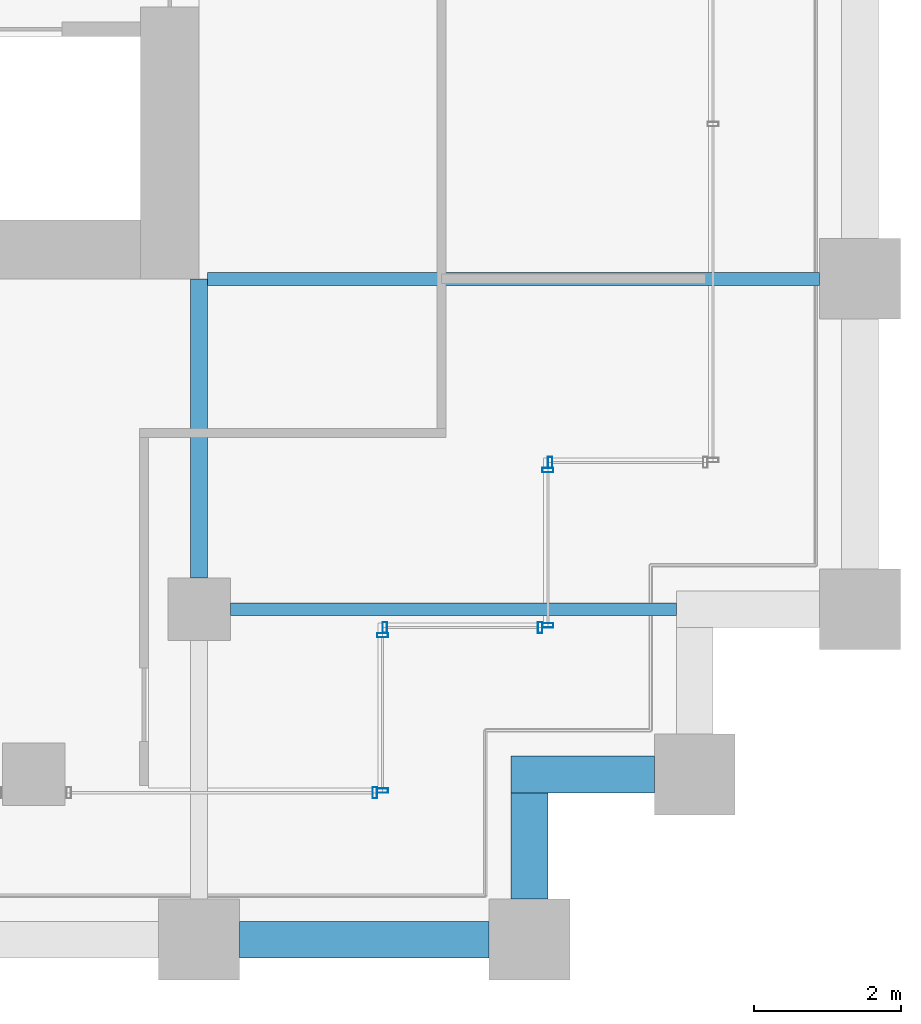
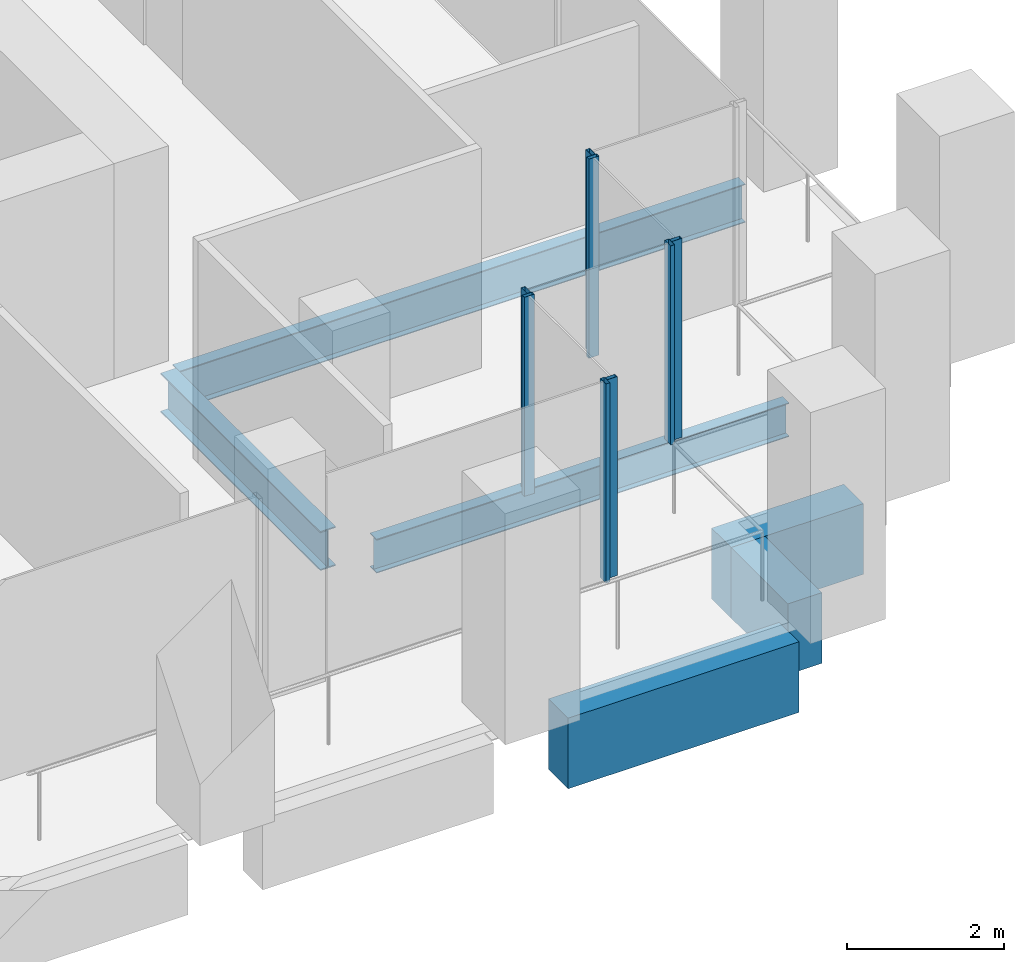
# One storey, part 38 of 56: 8 members, 6 beams, 5 elements without a shape of their own.
"""IFC4 building model written with IfcOpenShell, lengths in metres."""

from ifc_helpers import new_model, si_unit, direction, frame, origin, origin_2d, place, context, subcontext, project, spatial, rectangle, hollow_rectangle, i_section, extrude, material, material_profile, profile_set, type_object, element, aggregate, save


model = new_model("IFC4")

# Units and contexts
model_context = context("Model", 3, precision=1e-05, world=origin(), true_north=direction((0.0, 1.0)))
body_context = subcontext(model_context, "Body", "Model", "MODEL_VIEW")
ifc_project = project(units=[si_unit("LENGTHUNIT", "METRE"), si_unit("AREAUNIT", "SQUARE_METRE"), si_unit("VOLUMEUNIT", "CUBIC_METRE"), si_unit("PLANEANGLEUNIT", "RADIAN"), si_unit("MASSUNIT", "GRAM", prefix="KILO")], contexts=[model_context])

# Site, building, storey
site_placement = place(None, origin())
site = spatial("IfcSite", under=ifc_project, at=site_placement, CompositionType="ELEMENT")
building_placement = place(site_placement, origin())
building = spatial("IfcBuilding", under=site, at=building_placement, Name="Altepetl Exchange Towers", CompositionType="ELEMENT")
storey_placement = place(building_placement, frame((0.0, 0.0, 51.0)))
storey = spatial("IfcBuildingStorey", under=building, at=storey_placement, Name="L11", CompositionType="ELEMENT", Elevation=51.0)

# Beams
ifc_material_1 = material(Name="Steel S355", Category="steel")
ifc_material_profile_1 = material_profile(ifc_material_1, i_section(OverallWidth=0.166015625, OverallDepth=0.529052734375, WebThickness=0.009765625, FlangeThickness=0.013671875, at=origin_2d()), Name="W21X50")
ifc_profile_set_1 = profile_set([ifc_material_profile_1], Name="Steel S355")
beam_type_1 = type_object("IfcBeamType", Name="Floor beam W21X50", PredefinedType="BEAM", material=ifc_profile_set_1)
beam_1_placement = place(storey_placement, frame((117.425048828125, 31.5, -0.41455078125), z_axis=(1.0, 0.0, 0.0), x_axis=(0.0, 1.0, 0.0)))
element("IfcBeam", 1, at=beam_1_placement, inside=storey, type_object=beam_type_1, Name="bm:B:L11:004", PredefinedType="BEAM", context=body_context, shape_type="SweptSolid", body=[
    extrude(i_section(OverallWidth=0.166015625, OverallDepth=0.529052734375, WebThickness=0.009765625, FlangeThickness=0.013671875, at=origin_2d()), origin(), (0.0, 0.0, 1.0), 6.074951171875),
])
ifc_material_profile_2 = material_profile(ifc_material_1, i_section(OverallWidth=0.177978515625, OverallDepth=0.59912109375, WebThickness=0.010009765625, FlangeThickness=0.0126953125, at=origin_2d()), Name="W24X55")
ifc_profile_set_2 = profile_set([ifc_material_profile_2], Name="Steel S355")
beam_type_2 = type_object("IfcBeamType", Name="Floor beam W24X55", PredefinedType="BEAM", material=ifc_profile_set_2)
beam_2_placement = place(storey_placement, frame((117.114013671875, 36.0, -0.449462890625), z_axis=(1.0, 0.0, 0.0), x_axis=(0.0, 1.0, 0.0)))
element("IfcBeam", 2, at=beam_2_placement, inside=storey, type_object=beam_type_2, Name="bm:B:L11:005", PredefinedType="BEAM", context=body_context, shape_type="SweptSolid", body=[
    extrude(i_section(OverallWidth=0.177978515625, OverallDepth=0.59912109375, WebThickness=0.010009765625, FlangeThickness=0.0126953125, at=origin_2d()), origin(), (0.0, 0.0, 1.0), 8.3359375),
])
ifc_material_profile_3 = material_profile(ifc_material_1, i_section(OverallWidth=0.22802734375, OverallDepth=0.60791015625, WebThickness=0.01123046875, FlangeThickness=0.017333984375, at=origin_2d()), Name="W24X76")
ifc_profile_set_3 = profile_set([ifc_material_profile_3], Name="Steel S355")
beam_type_3 = type_object("IfcBeamType", Name="Girder W24X76", PredefinedType="BEAM", material=ifc_profile_set_3)
beam_3_placement = place(storey_placement, frame((117.0, 36.0, -0.4541015625), z_axis=(0.0, -1.0, 0.0), x_axis=(1.0, 0.0, 0.0)))
element("IfcBeam", 3, at=beam_3_placement, inside=storey, type_object=beam_type_3, Name="gd:B:L11:004", PredefinedType="BEAM", context=body_context, shape_type="SweptSolid", body=[
    extrude(i_section(OverallWidth=0.22802734375, OverallDepth=0.60791015625, WebThickness=0.01123046875, FlangeThickness=0.017333984375, at=origin_2d()), origin(), (0.0, 0.0, 1.0), 4.074951171875),
])

# Curtain wall, member
ifc_material_2 = material(Name="Aluminium 6063-T6 glazing", Category="aluminium")
curtain_wall_type = type_object("IfcCurtainWallType", Name="Loggia glazing system", PredefinedType="NOTDEFINED", material=ifc_material_2)
curtain_wall_1_placement = place(storey_placement, origin())
curtain_wall_1 = element("IfcCurtainWall", 4, at=curtain_wall_1_placement, inside=storey, type_object=curtain_wall_type, Name="CW1 run", PredefinedType="NOTDEFINED")
ifc_material_3 = material(Name="Aluminium 6063-T6", Category="aluminium")
ifc_material_profile_4 = material_profile(ifc_material_3, hollow_rectangle(XDim=0.06005859375, YDim=0.14990234375, WallThickness=0.0029296875, at=origin_2d()), Name="Mullion 60x150 aluminium")
ifc_profile_set_4 = profile_set([ifc_material_profile_4], Name="Aluminium 6063-T6")
member_type = type_object("IfcMemberType", Name="Mullion 60x150 aluminium", PredefinedType="MULLION", material=ifc_profile_set_4)
member_1_placement = place(storey_placement, frame((119.39501953125, 29.0, 0.0)))
member_1 = element("IfcMember", 5, at=member_1_placement, type_object=member_type, Name="MU1 mullion", PredefinedType="MULLION", context=body_context, shape_type="SweptSolid", body=[
    extrude(hollow_rectangle(XDim=0.06005859375, YDim=0.14990234375, WallThickness=0.0029296875, at=origin_2d()), origin(), (0.0, 0.0, 1.0), 3.10009765625),
])
aggregate(curtain_wall_1, [member_1])

# Curtain wall, members
curtain_wall_2_placement = place(storey_placement, origin())
curtain_wall_2 = element("IfcCurtainWall", 6, at=curtain_wall_2_placement, inside=storey, type_object=curtain_wall_type, Name="CW1 run", PredefinedType="NOTDEFINED")
member_2_placement = place(storey_placement, frame((119.5, 29.030029296875, 0.0), z_axis=(0.0, 0.0, 1.0), x_axis=(0.0, 1.0, 0.0)))
member_2 = element("IfcMember", 7, at=member_2_placement, type_object=member_type, Name="MU1 mullion", PredefinedType="MULLION", context=body_context, shape_type="SweptSolid", body=[
    extrude(hollow_rectangle(XDim=0.06005859375, YDim=0.14990234375, WallThickness=0.0029296875, at=origin_2d()), origin(), (0.0, 0.0, 1.0), 3.10009765625),
])
member_3_placement = place(storey_placement, frame((119.5, 31.14501953125, 0.0), z_axis=(0.0, 0.0, 1.0), x_axis=(0.0, 1.0, 0.0)))
member_3 = element("IfcMember", 8, at=member_3_placement, type_object=member_type, Name="MU1 mullion", PredefinedType="MULLION", context=body_context, shape_type="SweptSolid", body=[
    extrude(hollow_rectangle(XDim=0.06005859375, YDim=0.14990234375, WallThickness=0.0029296875, at=origin_2d()), origin(), (0.0, 0.0, 1.0), 3.10009765625),
])
aggregate(curtain_wall_2, [member_2, member_3])

curtain_wall_3_placement = place(storey_placement, origin())
curtain_wall_3 = element("IfcCurtainWall", 9, at=curtain_wall_3_placement, inside=storey, type_object=curtain_wall_type, Name="CW1 run", PredefinedType="NOTDEFINED")
member_4_placement = place(storey_placement, frame((119.530029296875, 31.25, 0.0)))
member_4 = element("IfcMember", 10, at=member_4_placement, type_object=member_type, Name="MU1 mullion", PredefinedType="MULLION", context=body_context, shape_type="SweptSolid", body=[
    extrude(hollow_rectangle(XDim=0.06005859375, YDim=0.14990234375, WallThickness=0.0029296875, at=origin_2d()), origin(), (0.0, 0.0, 1.0), 3.10009765625),
])
member_5_placement = place(storey_placement, frame((121.64501953125, 31.25, 0.0)))
member_5 = element("IfcMember", 11, at=member_5_placement, type_object=member_type, Name="MU1 mullion", PredefinedType="MULLION", context=body_context, shape_type="SweptSolid", body=[
    extrude(hollow_rectangle(XDim=0.06005859375, YDim=0.14990234375, WallThickness=0.0029296875, at=origin_2d()), origin(), (0.0, 0.0, 1.0), 3.10009765625),
])
aggregate(curtain_wall_3, [member_4, member_5])

curtain_wall_4_placement = place(storey_placement, origin())
curtain_wall_4 = element("IfcCurtainWall", 12, at=curtain_wall_4_placement, inside=storey, type_object=curtain_wall_type, Name="CW1 run", PredefinedType="NOTDEFINED")
member_6_placement = place(storey_placement, frame((121.75, 31.280029296875, 0.0), z_axis=(0.0, 0.0, 1.0), x_axis=(0.0, 1.0, 0.0)))
member_6 = element("IfcMember", 13, at=member_6_placement, type_object=member_type, Name="MU1 mullion", PredefinedType="MULLION", context=body_context, shape_type="SweptSolid", body=[
    extrude(hollow_rectangle(XDim=0.06005859375, YDim=0.14990234375, WallThickness=0.0029296875, at=origin_2d()), origin(), (0.0, 0.0, 1.0), 3.10009765625),
])
member_7_placement = place(storey_placement, frame((121.75, 33.39501953125, 0.0), z_axis=(0.0, 0.0, 1.0), x_axis=(0.0, 1.0, 0.0)))
member_7 = element("IfcMember", 14, at=member_7_placement, type_object=member_type, Name="MU1 mullion", PredefinedType="MULLION", context=body_context, shape_type="SweptSolid", body=[
    extrude(hollow_rectangle(XDim=0.06005859375, YDim=0.14990234375, WallThickness=0.0029296875, at=origin_2d()), origin(), (0.0, 0.0, 1.0), 3.10009765625),
])
aggregate(curtain_wall_4, [member_6, member_7])

# Curtain wall, member
curtain_wall_5_placement = place(storey_placement, origin())
curtain_wall_5 = element("IfcCurtainWall", 15, at=curtain_wall_5_placement, inside=storey, type_object=curtain_wall_type, Name="CW1 run", PredefinedType="NOTDEFINED")
member_8_placement = place(storey_placement, frame((121.780029296875, 33.5, 0.0)))
member_8 = element("IfcMember", 16, at=member_8_placement, type_object=member_type, Name="MU1 mullion", PredefinedType="MULLION", context=body_context, shape_type="SweptSolid", body=[
    extrude(hollow_rectangle(XDim=0.06005859375, YDim=0.14990234375, WallThickness=0.0029296875, at=origin_2d()), origin(), (0.0, 0.0, 1.0), 3.10009765625),
])
aggregate(curtain_wall_5, [member_8])

# Beams
ifc_material_4 = material(Name="Concrete C50/60 precast with cantera blanca facing", Category="concrete")
ifc_material_profile_5 = material_profile(ifc_material_4, rectangle(XDim=0.5, YDim=1.10009765625, at=origin_2d()), Name="500 x 1100")
ifc_profile_set_5 = profile_set([ifc_material_profile_5], Name="Concrete C50/60 precast with cantera blanca facing")
beam_type_4 = type_object("IfcBeamType", Name="Spandrel beam 500x1100 cantera blanca", PredefinedType="SPANDREL", material=ifc_profile_set_5)
beam_4_placement = place(storey_placement, frame((117.550048828125, 27.0, -0.699951171875), z_axis=(1.0, 0.0, 0.0), x_axis=(0.0, 1.0, 0.0)))
element("IfcBeam", 17, at=beam_4_placement, inside=storey, type_object=beam_type_4, Name="sp:B:L11:004", PredefinedType="SPANDREL", context=body_context, shape_type="SweptSolid", body=[
    extrude(rectangle(XDim=0.5, YDim=1.10009765625, at=origin_2d()), origin(), (0.0, 0.0, 1.0), 3.39990234375),
])
beam_5_placement = place(storey_placement, frame((121.5, 27.550048828125, -0.699951171875), z_axis=(0.0, 1.0, 0.0), x_axis=(-1.0, 0.0, 0.0)))
element("IfcBeam", 18, at=beam_5_placement, inside=storey, type_object=beam_type_4, Name="sp:B:L11:005", PredefinedType="SPANDREL", context=body_context, shape_type="SweptSolid", body=[
    extrude(rectangle(XDim=0.5, YDim=1.10009765625, at=origin_2d()), origin(), (0.0, 0.0, 1.0), 1.449951171875),
])
beam_6_placement = place(storey_placement, frame((121.25, 29.25, -0.699951171875), z_axis=(1.0, 0.0, 0.0), x_axis=(0.0, 1.0, 0.0)))
element("IfcBeam", 19, at=beam_6_placement, inside=storey, type_object=beam_type_4, Name="sp:B:L11:006", PredefinedType="SPANDREL", context=body_context, shape_type="SweptSolid", body=[
    extrude(rectangle(XDim=0.5, YDim=1.10009765625, at=origin_2d()), origin(), (0.0, 0.0, 1.0), 1.949951171875),
])

save(model, "model.ifc")
